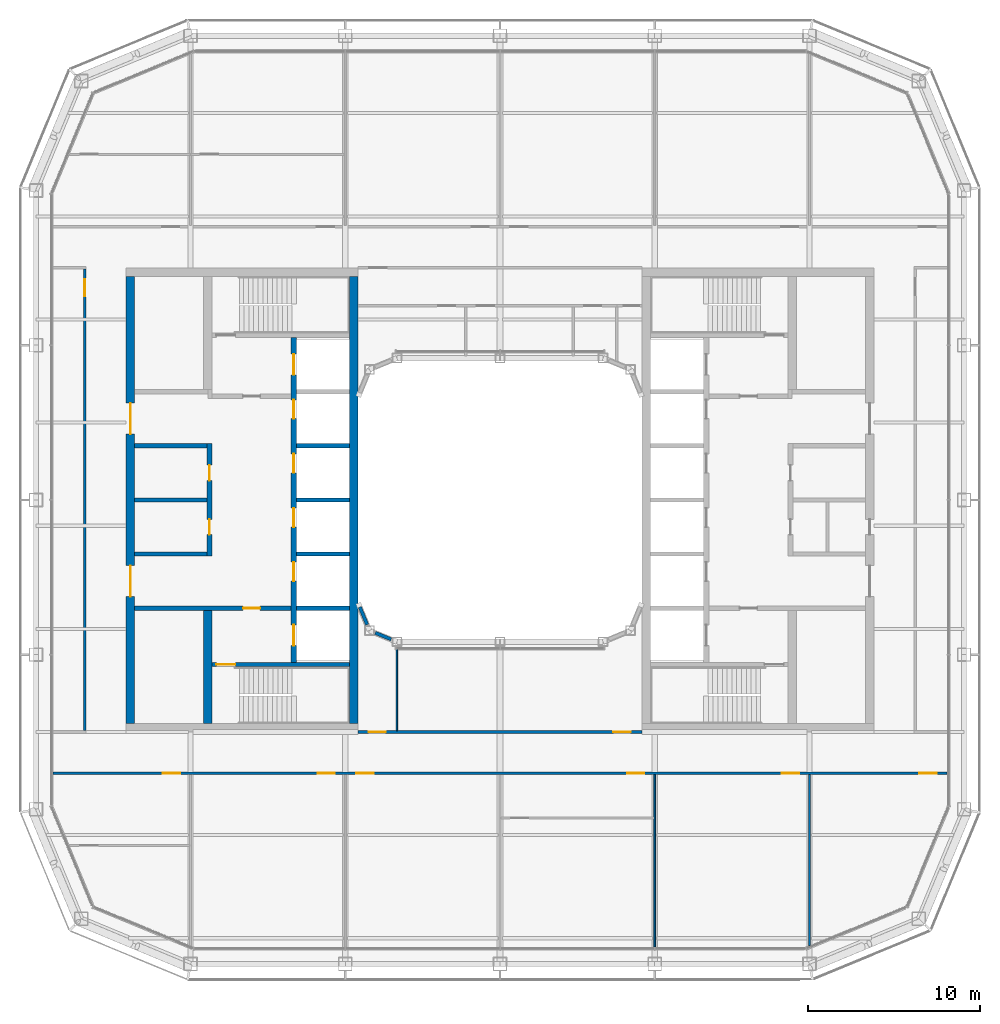
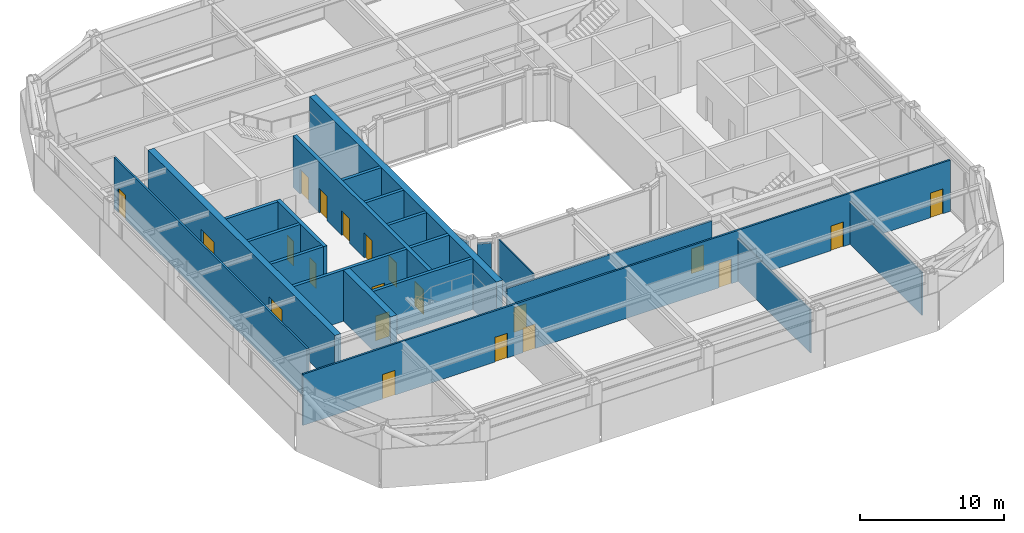
# One storey, part 12 of 19: 22 walls, 21 doors, 21 openings.
"""IFC4 building model written with IfcOpenShell, lengths in metres."""

from ifc_helpers import new_model, si_unit, direction, frame, frame_2d, origin, place, context, subcontext, project, spatial, rectangle, extrude, material, layer, layer_set, type_object, element, fill, save


model = new_model("IFC4")

# Units and contexts
model_context = context("Model", 3, precision=1e-05, world=origin(), true_north=direction((0.0, 1.0)))
body_context = subcontext(model_context, "Body", "Model", "MODEL_VIEW")
ifc_project = project(units=[si_unit("LENGTHUNIT", "METRE"), si_unit("AREAUNIT", "SQUARE_METRE"), si_unit("VOLUMEUNIT", "CUBIC_METRE"), si_unit("PLANEANGLEUNIT", "RADIAN"), si_unit("MASSUNIT", "GRAM", prefix="KILO")], contexts=[model_context])

# Site, building, storey
site_placement = place(None, origin())
site = spatial("IfcSite", under=ifc_project, at=site_placement, CompositionType="ELEMENT")
building_placement = place(site_placement, origin())
building = spatial("IfcBuilding", under=site, at=building_placement, Name="Siwar Civic Tower", CompositionType="ELEMENT")
storey_placement = place(building_placement, frame((0.0, 0.0, 246.699951171875)))
storey = spatial("IfcBuildingStorey", under=building, at=storey_placement, Name="L53", CompositionType="ELEMENT", Elevation=246.699951171875)

# Wall, opening, door
ifc_material_1 = material(Name="Concrete C60/75", Category="concrete")
ifc_layer_1 = layer(ifc_material_1, 0.25)
ifc_layer_set_1 = layer_set([ifc_layer_1], Name="Concrete C60/75")
wall_type_1 = type_object("IfcWallType", Name="CORE-WALL-RC250", PredefinedType="SHEAR", material=ifc_layer_set_1)
wall_1_placement = place(storey_placement, frame((-12.14990234375, -6.300048828125, 0.0), z_axis=(0.0, 0.0, 1.0), x_axis=(-1.0, 0.0, 0.0)))
wall_1 = element("IfcWall", 1, at=wall_1_placement, inside=storey, type_object=wall_type_1, Name="Core wall W", PredefinedType="SHEAR", context=body_context, shape_type="SweptSolid", body=[
    extrude(rectangle(XDim=9.10009765625, YDim=0.25, at=frame_2d((4.550048828125, 0.0))), origin(), (0.0, 0.0, 1.0), 4.35009765625),
])
opening_1_placement = place(wall_1_placement, frame((1.800048828125, 0.0, 0.0)))
opening_1 = element("IfcOpeningElement", 2, at=opening_1_placement, cuts=wall_1, Name="Opening L53-CW02", PredefinedType="OPENING", context=body_context, shape_type="SweptSolid", body=[
    extrude(rectangle(XDim=1.0, YDim=2.10009765625, at=frame_2d((0.5, 1.050048828125))), frame((0.0, 0.135009765625, 0.0), z_axis=(0.0, -1.0, 0.0), x_axis=(1.0, 0.0, 0.0)), (0.0, 0.0, 1.0), 0.27001953125),
])
ifc_material_2 = material(Name="Steel door leaf", Category="steel")
door_type_1 = type_object("IfcDoorType", Name="CORE-DOOR-FD30S", OperationType="SINGLE_SWING_LEFT", PredefinedType="DOOR", material=ifc_material_2)
door_1_placement = place(opening_1_placement, origin())
door_1 = element("IfcDoor", 3, at=door_1_placement, inside=storey, type_object=door_type_1, Name="Service lobby door L53-CW02", OperationType="SINGLE_SWING_RIGHT", OverallHeight=2.10009765625, OverallWidth=1.0, PredefinedType="DOOR", context=body_context, shape_type="SweptSolid", body=[
    extrude(rectangle(XDim=1.0, YDim=2.10009765625, at=frame_2d((0.5, 1.050048828125))), frame((0.0, 0.02490234375, 0.0), z_axis=(0.0, -1.0, 0.0), x_axis=(1.0, 0.0, 0.0)), (0.0, 0.0, 1.0), 0.050048828125),
])
fill(opening_1, door_1)

# Walls
for number, where, z_axis, x_axis, name in (
    (4, (-17.050048828125, 0.0, 0.0), (0.0, 0.0, 1.0), (-1.0, 0.0, 0.0), "Core wall W"),
    (5, (-17.050048828125, 3.14990234375, 0.0), (0.0, 0.0, 1.0), (-1.0, 0.0, 0.0), "Core wall W"),
    (6, (-17.050048828125, -3.14990234375, 0.0), (0.0, 0.0, 1.0), (-1.0, 0.0, 0.0), "Core wall W"),
):
    element("IfcWall", number, at=place(storey_placement, frame(where, z_axis=z_axis, x_axis=x_axis)), inside=storey, type_object=wall_type_1, Name=name, PredefinedType="SHEAR", context=body_context, shape_type="SweptSolid", body=[
        extrude(rectangle(XDim=4.199951171875, YDim=0.25, at=frame_2d((2.10009765625, 0.0))), origin(), (0.0, 0.0, 1.0), 4.35009765625),
    ])
for number, where, z_axis, x_axis, name in (
    (7, (-8.75, 0.0, 0.0), (0.0, 0.0, 1.0), (-1.0, 0.0, 0.0), "Core wall W"),
    (8, (-8.75, 3.14990234375, 0.0), (0.0, 0.0, 1.0), (-1.0, 0.0, 0.0), "Core wall W"),
    (9, (-8.75, -3.14990234375, 0.0), (0.0, 0.0, 1.0), (-1.0, 0.0, 0.0), "Core wall W"),
    (10, (-8.75, -6.300048828125, 0.0), (0.0, 0.0, 1.0), (-1.0, 0.0, 0.0), "Core wall W"),
):
    element("IfcWall", number, at=place(storey_placement, frame(where, z_axis=z_axis, x_axis=x_axis)), inside=storey, type_object=wall_type_1, Name=name, PredefinedType="SHEAR", context=body_context, shape_type="SweptSolid", body=[
        extrude(rectangle(XDim=3.10009765625, YDim=0.25, at=frame_2d((1.550048828125, 0.0))), origin(), (0.0, 0.0, 1.0), 4.35009765625),
    ])

# Wall, opening, door
wall_2_placement = place(storey_placement, frame((-8.75, -9.574951171875, 0.0), z_axis=(0.0, 0.0, 1.0), x_axis=(-1.0, 0.0, 0.0)))
wall_2 = element("IfcWall", 11, at=wall_2_placement, inside=storey, type_object=wall_type_1, Name="Core wall W", PredefinedType="SHEAR", context=body_context, shape_type="SweptSolid", body=[
    extrude(rectangle(XDim=8.0, YDim=0.25, at=frame_2d((4.0, 0.0))), origin(), (0.0, 0.0, 1.0), 4.35009765625),
])
opening_2_placement = place(wall_2_placement, frame((6.64990234375, 0.0, 0.0)))
opening_2 = element("IfcOpeningElement", 12, at=opening_2_placement, cuts=wall_2, Name="Opening L53-CW04", PredefinedType="OPENING", context=body_context, shape_type="SweptSolid", body=[
    extrude(rectangle(XDim=1.10009765625, YDim=2.10009765625, at=frame_2d((0.550048828125, 1.050048828125))), frame((0.0, 0.135009765625, 0.0), z_axis=(0.0, -1.0, 0.0), x_axis=(1.0, 0.0, 0.0)), (0.0, 0.0, 1.0), 0.27001953125),
])
ifc_material_3 = material(Name="Steel door leaf", Category="steel")
door_type_2 = type_object("IfcDoorType", Name="CORE-DOOR-FD60S", OperationType="SINGLE_SWING_LEFT", PredefinedType="DOOR", material=ifc_material_3)
door_2_placement = place(opening_2_placement, origin())
door_2 = element("IfcDoor", 13, at=door_2_placement, inside=storey, type_object=door_type_2, Name="Stair door L53-CW04", OperationType="SINGLE_SWING_LEFT", OverallHeight=2.10009765625, OverallWidth=1.10009765625, PredefinedType="DOOR", context=body_context, shape_type="SweptSolid", body=[
    extrude(rectangle(XDim=1.10009765625, YDim=2.10009765625, at=frame_2d((0.550048828125, 1.050048828125))), frame((0.0, 0.02490234375, 0.0), z_axis=(0.0, -1.0, 0.0), x_axis=(1.0, 0.0, 0.0)), (0.0, 0.0, 1.0), 0.050048828125),
])
fill(opening_2, door_2)

# Wall, openings, doors
ifc_material_4 = material(Name="Concrete C60/75", Category="concrete")
ifc_layer_2 = layer(ifc_material_4, 0.300048828125)
ifc_layer_set_2 = layer_set([ifc_layer_2], Name="Concrete C60/75")
wall_type_2 = type_object("IfcWallType", Name="CORE-WALL-RC300", PredefinedType="SHEAR", material=ifc_layer_set_2)
wall_3_placement = place(storey_placement, frame((-12.0, -9.449951171875, 0.0), z_axis=(0.0, 0.0, 1.0), x_axis=(0.0, 1.0, 0.0)))
wall_3 = element("IfcWall", 14, at=wall_3_placement, inside=storey, type_object=wall_type_2, Name="Core wall W", PredefinedType="SHEAR", context=body_context, shape_type="SweptSolid", body=[
    extrude(rectangle(XDim=18.89990234375, YDim=0.300048828125, at=frame_2d((9.449951171875, 0.0))), origin(), (0.0, 0.0, 1.0), 4.35009765625),
])
opening_3_placement = place(wall_3_placement, frame((4.72509765625, 0.0, 0.0)))
opening_3 = element("IfcOpeningElement", 15, at=opening_3_placement, cuts=wall_3, Name="Opening L53-CW07", PredefinedType="OPENING", context=body_context, shape_type="SweptSolid", body=[
    extrude(rectangle(XDim=1.10009765625, YDim=2.10009765625, at=frame_2d((0.550048828125, 1.050048828125))), frame((0.0, 0.16015625, 0.0), z_axis=(0.0, -1.0, 0.0), x_axis=(1.0, 0.0, 0.0)), (0.0, 0.0, 1.0), 0.320068359375),
])
opening_4_placement = place(wall_3_placement, frame((7.875, 0.0, 0.0)))
opening_4 = element("IfcOpeningElement", 16, at=opening_4_placement, cuts=wall_3, Name="Opening L53-CW08", PredefinedType="OPENING", context=body_context, shape_type="SweptSolid", body=[
    extrude(rectangle(XDim=1.10009765625, YDim=2.10009765625, at=frame_2d((0.550048828125, 1.050048828125))), frame((0.0, 0.16015625, 0.0), z_axis=(0.0, -1.0, 0.0), x_axis=(1.0, 0.0, 0.0)), (0.0, 0.0, 1.0), 0.320068359375),
])
opening_5_placement = place(wall_3_placement, frame((11.02490234375, 0.0, 0.0)))
opening_5 = element("IfcOpeningElement", 17, at=opening_5_placement, cuts=wall_3, Name="Opening L53-CW09", PredefinedType="OPENING", context=body_context, shape_type="SweptSolid", body=[
    extrude(rectangle(XDim=1.10009765625, YDim=2.10009765625, at=frame_2d((0.550048828125, 1.050048828125))), frame((0.0, 0.16015625, 0.0), z_axis=(0.0, -1.0, 0.0), x_axis=(1.0, 0.0, 0.0)), (0.0, 0.0, 1.0), 0.320068359375),
])
opening_6_placement = place(wall_3_placement, frame((14.175048828125, 0.0, 0.0)))
opening_6 = element("IfcOpeningElement", 18, at=opening_6_placement, cuts=wall_3, Name="Opening L53-CW10", PredefinedType="OPENING", context=body_context, shape_type="SweptSolid", body=[
    extrude(rectangle(XDim=1.10009765625, YDim=2.10009765625, at=frame_2d((0.550048828125, 1.050048828125))), frame((0.0, 0.16015625, 0.0), z_axis=(0.0, -1.0, 0.0), x_axis=(1.0, 0.0, 0.0)), (0.0, 0.0, 1.0), 0.320068359375),
])
opening_7_placement = place(wall_3_placement, frame((16.72509765625, 0.0, 0.0)))
opening_7 = element("IfcOpeningElement", 19, at=opening_7_placement, cuts=wall_3, Name="Opening L53-CW11", PredefinedType="OPENING", context=body_context, shape_type="SweptSolid", body=[
    extrude(rectangle(XDim=1.199951171875, YDim=2.10009765625, at=frame_2d((0.60009765625, 1.050048828125))), frame((0.0, 0.16015625, 0.0), z_axis=(0.0, -1.0, 0.0), x_axis=(1.0, 0.0, 0.0)), (0.0, 0.0, 1.0), 0.320068359375),
])
opening_8_placement = place(wall_3_placement, frame((0.97509765625, 0.0, 0.0)))
opening_8 = element("IfcOpeningElement", 20, at=opening_8_placement, cuts=wall_3, Name="Opening L53-CW12", PredefinedType="OPENING", context=body_context, shape_type="SweptSolid", body=[
    extrude(rectangle(XDim=1.199951171875, YDim=2.10009765625, at=frame_2d((0.60009765625, 1.050048828125))), frame((0.0, 0.16015625, 0.0), z_axis=(0.0, -1.0, 0.0), x_axis=(1.0, 0.0, 0.0)), (0.0, 0.0, 1.0), 0.320068359375),
])
ifc_material_5 = material(Name="Steel door leaf", Category="steel")
door_type_3 = type_object("IfcDoorType", Name="CORE-DOOR-LD", OperationType="DOUBLE_DOOR_SLIDING", PredefinedType="DOOR", material=ifc_material_5)
door_3_placement = place(opening_3_placement, origin())
door_3 = element("IfcDoor", 21, at=door_3_placement, inside=storey, type_object=door_type_3, Name="Landing door HR1 L53-CW07", OperationType="DOUBLE_DOOR_SLIDING", OverallHeight=2.10009765625, OverallWidth=1.10009765625, PredefinedType="DOOR", context=body_context, shape_type="SweptSolid", body=[
    extrude(rectangle(XDim=1.10009765625, YDim=2.10009765625, at=frame_2d((0.550048828125, 1.050048828125))), frame((0.0, 0.02490234375, 0.0), z_axis=(0.0, -1.0, 0.0), x_axis=(1.0, 0.0, 0.0)), (0.0, 0.0, 1.0), 0.050048828125),
])
fill(opening_3, door_3)
door_4_placement = place(opening_4_placement, origin())
door_4 = element("IfcDoor", 22, at=door_4_placement, inside=storey, type_object=door_type_3, Name="Landing door HR2 L53-CW08", OperationType="DOUBLE_DOOR_SLIDING", OverallHeight=2.10009765625, OverallWidth=1.10009765625, PredefinedType="DOOR", context=body_context, shape_type="SweptSolid", body=[
    extrude(rectangle(XDim=1.10009765625, YDim=2.10009765625, at=frame_2d((0.550048828125, 1.050048828125))), frame((0.0, 0.02490234375, 0.0), z_axis=(0.0, -1.0, 0.0), x_axis=(1.0, 0.0, 0.0)), (0.0, 0.0, 1.0), 0.050048828125),
])
fill(opening_4, door_4)
door_5_placement = place(opening_5_placement, origin())
door_5 = element("IfcDoor", 23, at=door_5_placement, inside=storey, type_object=door_type_3, Name="Landing door HR3 L53-CW09", OperationType="DOUBLE_DOOR_SLIDING", OverallHeight=2.10009765625, OverallWidth=1.10009765625, PredefinedType="DOOR", context=body_context, shape_type="SweptSolid", body=[
    extrude(rectangle(XDim=1.10009765625, YDim=2.10009765625, at=frame_2d((0.550048828125, 1.050048828125))), frame((0.0, 0.02490234375, 0.0), z_axis=(0.0, -1.0, 0.0), x_axis=(1.0, 0.0, 0.0)), (0.0, 0.0, 1.0), 0.050048828125),
])
fill(opening_5, door_5)
door_6_placement = place(opening_6_placement, origin())
door_6 = element("IfcDoor", 24, at=door_6_placement, inside=storey, type_object=door_type_3, Name="Landing door HR4 L53-CW10", OperationType="DOUBLE_DOOR_SLIDING", OverallHeight=2.10009765625, OverallWidth=1.10009765625, PredefinedType="DOOR", context=body_context, shape_type="SweptSolid", body=[
    extrude(rectangle(XDim=1.10009765625, YDim=2.10009765625, at=frame_2d((0.550048828125, 1.050048828125))), frame((0.0, 0.02490234375, 0.0), z_axis=(0.0, -1.0, 0.0), x_axis=(1.0, 0.0, 0.0)), (0.0, 0.0, 1.0), 0.050048828125),
])
fill(opening_6, door_6)
ifc_material_6 = material(Name="Steel door leaf", Category="steel")
door_type_4 = type_object("IfcDoorType", Name="CORE-DOOR-LDW", OperationType="DOUBLE_DOOR_SLIDING", PredefinedType="DOOR", material=ifc_material_6)
door_7_placement = place(opening_7_placement, origin())
door_7 = element("IfcDoor", 25, at=door_7_placement, inside=storey, type_object=door_type_4, Name="Landing door FF1 L53-CW11", OperationType="DOUBLE_DOOR_SLIDING", OverallHeight=2.10009765625, OverallWidth=1.199951171875, PredefinedType="DOOR", context=body_context, shape_type="SweptSolid", body=[
    extrude(rectangle(XDim=1.199951171875, YDim=2.10009765625, at=frame_2d((0.60009765625, 1.050048828125))), frame((0.0, 0.02490234375, 0.0), z_axis=(0.0, -1.0, 0.0), x_axis=(1.0, 0.0, 0.0)), (0.0, 0.0, 1.0), 0.050048828125),
])
fill(opening_7, door_7)
door_8_placement = place(opening_8_placement, origin())
door_8 = element("IfcDoor", 26, at=door_8_placement, inside=storey, type_object=door_type_4, Name="Landing door SV1 L53-CW12", OperationType="DOUBLE_DOOR_SLIDING", OverallHeight=2.10009765625, OverallWidth=1.199951171875, PredefinedType="DOOR", context=body_context, shape_type="SweptSolid", body=[
    extrude(rectangle(XDim=1.199951171875, YDim=2.10009765625, at=frame_2d((0.60009765625, 1.050048828125))), frame((0.0, 0.02490234375, 0.0), z_axis=(0.0, -1.0, 0.0), x_axis=(1.0, 0.0, 0.0)), (0.0, 0.0, 1.0), 0.050048828125),
])
fill(opening_8, door_8)

wall_4_placement = place(storey_placement, frame((-16.89990234375, -3.27490234375, 0.0), z_axis=(0.0, 0.0, 1.0), x_axis=(0.0, 1.0, 0.0)))
wall_4 = element("IfcWall", 27, at=wall_4_placement, inside=storey, type_object=wall_type_2, Name="Core wall W", PredefinedType="SHEAR", context=body_context, shape_type="SweptSolid", body=[
    extrude(rectangle(XDim=6.5498046875, YDim=0.300048828125, at=frame_2d((3.27490234375, 0.0))), origin(), (0.0, 0.0, 1.0), 4.35009765625),
])
opening_9_placement = place(wall_4_placement, frame((1.25, 0.0, 0.0)))
opening_9 = element("IfcOpeningElement", 28, at=opening_9_placement, cuts=wall_4, Name="Opening L53-CW13", PredefinedType="OPENING", context=body_context, shape_type="SweptSolid", body=[
    extrude(rectangle(XDim=0.89990234375, YDim=2.10009765625, at=frame_2d((0.449951171875, 1.050048828125))), frame((0.0, 0.16015625, 0.0), z_axis=(0.0, -1.0, 0.0), x_axis=(1.0, 0.0, 0.0)), (0.0, 0.0, 1.0), 0.320068359375),
])
opening_10_placement = place(wall_4_placement, frame((4.39990234375, 0.0, 0.0)))
opening_10 = element("IfcOpeningElement", 29, at=opening_10_placement, cuts=wall_4, Name="Opening L53-CW14", PredefinedType="OPENING", context=body_context, shape_type="SweptSolid", body=[
    extrude(rectangle(XDim=0.89990234375, YDim=2.10009765625, at=frame_2d((0.449951171875, 1.050048828125))), frame((0.0, 0.16015625, 0.0), z_axis=(0.0, -1.0, 0.0), x_axis=(1.0, 0.0, 0.0)), (0.0, 0.0, 1.0), 0.320068359375),
])
ifc_material_7 = material(Name="Steel door leaf", Category="steel")
door_type_5 = type_object("IfcDoorType", Name="CORE-DOOR-ROOM", OperationType="SINGLE_SWING_LEFT", PredefinedType="DOOR", material=ifc_material_7)
door_9_placement = place(opening_9_placement, origin())
door_9 = element("IfcDoor", 30, at=door_9_placement, inside=storey, type_object=door_type_5, Name="Core room door L53-CW13", OperationType="SINGLE_SWING_LEFT", OverallHeight=2.10009765625, OverallWidth=0.89990234375, PredefinedType="DOOR", context=body_context, shape_type="SweptSolid", body=[
    extrude(rectangle(XDim=0.89990234375, YDim=2.10009765625, at=frame_2d((0.449951171875, 1.050048828125))), frame((0.0, 0.02490234375, 0.0), z_axis=(0.0, -1.0, 0.0), x_axis=(1.0, 0.0, 0.0)), (0.0, 0.0, 1.0), 0.050048828125),
])
fill(opening_9, door_9)
door_10_placement = place(opening_10_placement, origin())
door_10 = element("IfcDoor", 31, at=door_10_placement, inside=storey, type_object=door_type_5, Name="Core room door L53-CW14", OperationType="SINGLE_SWING_RIGHT", OverallHeight=2.10009765625, OverallWidth=0.89990234375, PredefinedType="DOOR", context=body_context, shape_type="SweptSolid", body=[
    extrude(rectangle(XDim=0.89990234375, YDim=2.10009765625, at=frame_2d((0.449951171875, 1.050048828125))), frame((0.0, 0.02490234375, 0.0), z_axis=(0.0, -1.0, 0.0), x_axis=(1.0, 0.0, 0.0)), (0.0, 0.0, 1.0), 0.050048828125),
])
fill(opening_10, door_10)

ifc_material_8 = material(Name="Concrete C60/75", Category="concrete")
ifc_layer_3 = layer(ifc_material_8, 0.5)
ifc_layer_set_3 = layer_set([ifc_layer_3], Name="Concrete C60/75")
wall_type_3 = type_object("IfcWallType", Name="CORE-WALL-RC500", PredefinedType="SHEAR", material=ifc_layer_set_3)
wall_5_placement = place(storey_placement, frame((-21.5, -13.0, 0.0), z_axis=(0.0, 0.0, 1.0), x_axis=(0.0, 1.0, 0.0)))
wall_5 = element("IfcWall", 32, at=wall_5_placement, inside=storey, type_object=wall_type_3, Name="Core wall W", PredefinedType="SHEAR", context=body_context, shape_type="SweptSolid", body=[
    extrude(rectangle(XDim=26.0, YDim=0.5, at=frame_2d((13.0, 0.0))), origin(), (0.0, 0.0, 1.0), 4.35009765625),
])
opening_11_placement = place(wall_5_placement, frame((16.824951171875, 0.0, 0.0)))
opening_11 = element("IfcOpeningElement", 33, at=opening_11_placement, cuts=wall_5, Name="Opening L53-CW05", PredefinedType="OPENING", context=body_context, shape_type="SweptSolid", body=[
    extrude(rectangle(XDim=1.800048828125, YDim=2.10009765625, at=frame_2d((0.89990234375, 1.050048828125))), frame((0.0, 0.260009765625, 0.0), z_axis=(0.0, -1.0, 0.0), x_axis=(1.0, 0.0, 0.0)), (0.0, 0.0, 1.0), 0.52001953125),
])
opening_12_placement = place(wall_5_placement, frame((7.375, 0.0, 0.0)))
opening_12 = element("IfcOpeningElement", 34, at=opening_12_placement, cuts=wall_5, Name="Opening L53-CW06", PredefinedType="OPENING", context=body_context, shape_type="SweptSolid", body=[
    extrude(rectangle(XDim=1.800048828125, YDim=2.10009765625, at=frame_2d((0.89990234375, 1.050048828125))), frame((0.0, 0.260009765625, 0.0), z_axis=(0.0, -1.0, 0.0), x_axis=(1.0, 0.0, 0.0)), (0.0, 0.0, 1.0), 0.52001953125),
])
ifc_material_9 = material(Name="Steel door leaf", Category="steel")
door_type_6 = type_object("IfcDoorType", Name="CORE-DOOR-PORT", OperationType="DOUBLE_DOOR_DOUBLE_SWING", PredefinedType="DOOR", material=ifc_material_9)
door_11_placement = place(opening_11_placement, origin())
door_11 = element("IfcDoor", 35, at=door_11_placement, inside=storey, type_object=door_type_6, Name="Core entrance door L53-CW05", OperationType="DOUBLE_DOOR_DOUBLE_SWING", OverallHeight=2.10009765625, OverallWidth=1.800048828125, PredefinedType="DOOR", context=body_context, shape_type="SweptSolid", body=[
    extrude(rectangle(XDim=1.800048828125, YDim=2.10009765625, at=frame_2d((0.89990234375, 1.050048828125))), frame((0.0, 0.02490234375, 0.0), z_axis=(0.0, -1.0, 0.0), x_axis=(1.0, 0.0, 0.0)), (0.0, 0.0, 1.0), 0.050048828125),
])
fill(opening_11, door_11)
door_12_placement = place(opening_12_placement, origin())
door_12 = element("IfcDoor", 36, at=door_12_placement, inside=storey, type_object=door_type_6, Name="Core entrance door L53-CW06", OperationType="DOUBLE_DOOR_DOUBLE_SWING", OverallHeight=2.10009765625, OverallWidth=1.800048828125, PredefinedType="DOOR", context=body_context, shape_type="SweptSolid", body=[
    extrude(rectangle(XDim=1.800048828125, YDim=2.10009765625, at=frame_2d((0.89990234375, 1.050048828125))), frame((0.0, 0.02490234375, 0.0), z_axis=(0.0, -1.0, 0.0), x_axis=(1.0, 0.0, 0.0)), (0.0, 0.0, 1.0), 0.050048828125),
])
fill(opening_12, door_12)

# Walls
wall_6_placement = place(storey_placement, frame((-17.0, -13.0, 0.0), z_axis=(0.0, 0.0, 1.0), x_axis=(0.0, 1.0, 0.0)))
element("IfcWall", 37, at=wall_6_placement, inside=storey, type_object=wall_type_3, Name="Core wall W", PredefinedType="SHEAR", context=body_context, shape_type="SweptSolid", body=[
    extrude(rectangle(XDim=6.574951171875, YDim=0.5, at=frame_2d((3.28759765625, 0.0))), origin(), (0.0, 0.0, 1.0), 4.35009765625),
])
ifc_material_10 = material(Name="Concrete C60/75", Category="concrete")
ifc_layer_4 = layer(ifc_material_10, 0.5)
ifc_layer_set_4 = layer_set([ifc_layer_4], Name="Concrete C60/75")
wall_type_4 = type_object("IfcWallType", Name="CORE-WALL-RC500-EXT", PredefinedType="SHEAR", material=ifc_layer_set_4)
wall_7_placement = place(storey_placement, frame((-8.5, -13.0, 0.0), z_axis=(0.0, 0.0, 1.0), x_axis=(0.0, 1.0, 0.0)))
element("IfcWall", 38, at=wall_7_placement, inside=storey, type_object=wall_type_4, Name="Core wall W", PredefinedType="SHEAR", context=body_context, shape_type="SweptSolid", body=[
    extrude(rectangle(XDim=26.0, YDim=0.5, at=frame_2d((13.0, 0.0))), origin(), (0.0, 0.0, 1.0), 4.35009765625),
])

# Wall, openings, doors
ifc_material_11 = material(Name="Gypsum board on steel studs", Category="steel")
ifc_layer_5 = layer(ifc_material_11, 0.14990234375)
ifc_layer_set_5 = layer_set([ifc_layer_5], Name="Gypsum board on steel studs")
wall_type_5 = type_object("IfcWallType", Name="CORRIDOR PARTITION 150 EI 30", PredefinedType="PARTITIONING", material=ifc_layer_set_5)
wall_8_placement = place(storey_placement, frame((-26.010009765625, -15.89990234375, 0.0), z_axis=(0.0, 0.0, 1.0), x_axis=(1.0, 0.0, 0.0)))
wall_8 = element("IfcWall", 39, at=wall_8_placement, inside=storey, type_object=wall_type_5, Name="L53/wall/P03", PredefinedType="PARTITIONING", context=body_context, shape_type="SweptSolid", body=[
    extrude(rectangle(XDim=52.02001953125, YDim=0.14990234375, at=frame_2d((26.010009765625, 0.0))), origin(), (0.0, 0.0, 1.0), 4.35009765625),
])
opening_13_placement = place(wall_8_placement, frame((15.409912109375, 0.0, 0.0)))
opening_13 = element("IfcOpeningElement", 40, at=opening_13_placement, cuts=wall_8, Name="Opening D1", PredefinedType="OPENING", context=body_context, shape_type="SweptSolid", body=[
    extrude(rectangle(XDim=1.0, YDim=2.10009765625, at=frame_2d((0.5, 1.050048828125))), frame((0.0, 0.0849609375, 0.0), z_axis=(0.0, -1.0, 0.0), x_axis=(1.0, 0.0, 0.0)), (0.0, 0.0, 1.0), 0.169921875),
])
opening_14_placement = place(wall_8_placement, frame((17.659912109375, 0.0, 0.0)))
opening_14 = element("IfcOpeningElement", 41, at=opening_14_placement, cuts=wall_8, Name="Opening D1", PredefinedType="OPENING", context=body_context, shape_type="SweptSolid", body=[
    extrude(rectangle(XDim=1.0, YDim=2.10009765625, at=frame_2d((0.5, 1.050048828125))), frame((0.0, 0.0849609375, 0.0), z_axis=(0.0, -1.0, 0.0), x_axis=(1.0, 0.0, 0.0)), (0.0, 0.0, 1.0), 0.169921875),
])
opening_15_placement = place(wall_8_placement, frame((33.409912109375, 0.0, 0.0)))
opening_15 = element("IfcOpeningElement", 42, at=opening_15_placement, cuts=wall_8, Name="Opening D1", PredefinedType="OPENING", context=body_context, shape_type="SweptSolid", body=[
    extrude(rectangle(XDim=1.0, YDim=2.10009765625, at=frame_2d((0.5, 1.050048828125))), frame((0.0, 0.0849609375, 0.0), z_axis=(0.0, -1.0, 0.0), x_axis=(1.0, 0.0, 0.0)), (0.0, 0.0, 1.0), 0.169921875),
])
opening_16_placement = place(wall_8_placement, frame((42.409912109375, 0.0, 0.0)))
opening_16 = element("IfcOpeningElement", 43, at=opening_16_placement, cuts=wall_8, Name="Opening D1", PredefinedType="OPENING", context=body_context, shape_type="SweptSolid", body=[
    extrude(rectangle(XDim=1.0, YDim=2.10009765625, at=frame_2d((0.5, 1.050048828125))), frame((0.0, 0.0849609375, 0.0), z_axis=(0.0, -1.0, 0.0), x_axis=(1.0, 0.0, 0.0)), (0.0, 0.0, 1.0), 0.169921875),
])
opening_17_placement = place(wall_8_placement, frame((6.39990234375, 0.0, 0.0)))
opening_17 = element("IfcOpeningElement", 44, at=opening_17_placement, cuts=wall_8, Name="Opening D1", PredefinedType="OPENING", context=body_context, shape_type="SweptSolid", body=[
    extrude(rectangle(XDim=1.0, YDim=2.10009765625, at=frame_2d((0.5, 1.050048828125))), frame((0.0, 0.0849609375, 0.0), z_axis=(0.0, -1.0, 0.0), x_axis=(1.0, 0.0, 0.0)), (0.0, 0.0, 1.0), 0.169921875),
])
opening_18_placement = place(wall_8_placement, frame((50.409912109375, 0.0, 0.0)))
opening_18 = element("IfcOpeningElement", 45, at=opening_18_placement, cuts=wall_8, Name="Opening D1", PredefinedType="OPENING", context=body_context, shape_type="SweptSolid", body=[
    extrude(rectangle(XDim=1.0, YDim=2.10009765625, at=frame_2d((0.5, 1.050048828125))), frame((0.0, 0.0849609375, 0.0), z_axis=(0.0, -1.0, 0.0), x_axis=(1.0, 0.0, 0.0)), (0.0, 0.0, 1.0), 0.169921875),
])
ifc_material_12 = material(Name="Timber, painted", Category="wood")
door_type_7 = type_object("IfcDoorType", Name="DOOR 1000 X 2100 FD30", OperationType="SINGLE_SWING_LEFT", PredefinedType="DOOR", material=ifc_material_12)
door_13_placement = place(opening_13_placement, origin())
door_13 = element("IfcDoor", 46, at=door_13_placement, inside=storey, type_object=door_type_7, Name="L53-D06", OperationType="SINGLE_SWING_RIGHT", OverallHeight=2.10009765625, OverallWidth=1.0, PredefinedType="DOOR", context=body_context, shape_type="SweptSolid", body=[
    extrude(rectangle(XDim=1.0, YDim=2.10009765625, at=frame_2d((0.5, 1.050048828125))), frame((0.0, 0.02490234375, 0.0), z_axis=(0.0, -1.0, 0.0), x_axis=(1.0, 0.0, 0.0)), (0.0, 0.0, 1.0), 0.050048828125),
])
fill(opening_13, door_13)
door_14_placement = place(opening_14_placement, origin())
door_14 = element("IfcDoor", 47, at=door_14_placement, inside=storey, type_object=door_type_7, Name="L53-D07", OperationType="SINGLE_SWING_LEFT", OverallHeight=2.10009765625, OverallWidth=1.0, PredefinedType="DOOR", context=body_context, shape_type="SweptSolid", body=[
    extrude(rectangle(XDim=1.0, YDim=2.10009765625, at=frame_2d((0.5, 1.050048828125))), frame((0.0, 0.02490234375, 0.0), z_axis=(0.0, -1.0, 0.0), x_axis=(1.0, 0.0, 0.0)), (0.0, 0.0, 1.0), 0.050048828125),
])
fill(opening_14, door_14)
door_15_placement = place(opening_15_placement, origin())
door_15 = element("IfcDoor", 48, at=door_15_placement, inside=storey, type_object=door_type_7, Name="L53-D08", OperationType="SINGLE_SWING_RIGHT", OverallHeight=2.10009765625, OverallWidth=1.0, PredefinedType="DOOR", context=body_context, shape_type="SweptSolid", body=[
    extrude(rectangle(XDim=1.0, YDim=2.10009765625, at=frame_2d((0.5, 1.050048828125))), frame((0.0, 0.02490234375, 0.0), z_axis=(0.0, -1.0, 0.0), x_axis=(1.0, 0.0, 0.0)), (0.0, 0.0, 1.0), 0.050048828125),
])
fill(opening_15, door_15)
door_16_placement = place(opening_16_placement, origin())
door_16 = element("IfcDoor", 49, at=door_16_placement, inside=storey, type_object=door_type_7, Name="L53-D10", OperationType="SINGLE_SWING_RIGHT", OverallHeight=2.10009765625, OverallWidth=1.0, PredefinedType="DOOR", context=body_context, shape_type="SweptSolid", body=[
    extrude(rectangle(XDim=1.0, YDim=2.10009765625, at=frame_2d((0.5, 1.050048828125))), frame((0.0, 0.02490234375, 0.0), z_axis=(0.0, -1.0, 0.0), x_axis=(1.0, 0.0, 0.0)), (0.0, 0.0, 1.0), 0.050048828125),
])
fill(opening_16, door_16)
door_17_placement = place(opening_17_placement, origin())
door_17 = element("IfcDoor", 50, at=door_17_placement, inside=storey, type_object=door_type_7, Name="L53-D14", OperationType="SINGLE_SWING_RIGHT", OverallHeight=2.10009765625, OverallWidth=1.0, PredefinedType="DOOR", context=body_context, shape_type="SweptSolid", body=[
    extrude(rectangle(XDim=1.0, YDim=2.10009765625, at=frame_2d((0.5, 1.050048828125))), frame((0.0, 0.02490234375, 0.0), z_axis=(0.0, -1.0, 0.0), x_axis=(1.0, 0.0, 0.0)), (0.0, 0.0, 1.0), 0.050048828125),
])
fill(opening_17, door_17)
door_18_placement = place(opening_18_placement, origin())
door_18 = element("IfcDoor", 51, at=door_18_placement, inside=storey, type_object=door_type_7, Name="L53-D16", OperationType="SINGLE_SWING_RIGHT", OverallHeight=2.10009765625, OverallWidth=1.0, PredefinedType="DOOR", context=body_context, shape_type="SweptSolid", body=[
    extrude(rectangle(XDim=1.0, YDim=2.10009765625, at=frame_2d((0.5, 1.050048828125))), frame((0.0, 0.02490234375, 0.0), z_axis=(0.0, -1.0, 0.0), x_axis=(1.0, 0.0, 0.0)), (0.0, 0.0, 1.0), 0.050048828125),
])
fill(opening_18, door_18)

wall_9_placement = place(storey_placement, frame((-8.25, -13.5, 0.0), z_axis=(0.0, 0.0, 1.0), x_axis=(1.0, 0.0, 0.0)))
wall_9 = element("IfcWall", 52, at=wall_9_placement, inside=storey, type_object=wall_type_5, Name="L53/wall/P05", PredefinedType="PARTITIONING", context=body_context, shape_type="SweptSolid", body=[
    extrude(rectangle(XDim=16.5, YDim=0.14990234375, at=frame_2d((8.25, 0.0))), origin(), (0.0, 0.0, 1.0), 3.949951171875),
])
opening_19_placement = place(wall_9_placement, frame((0.60009765625, 0.0, 0.0)))
opening_19 = element("IfcOpeningElement", 53, at=opening_19_placement, cuts=wall_9, Name="Opening D3", PredefinedType="OPENING", context=body_context, shape_type="SweptSolid", body=[
    extrude(rectangle(XDim=1.0, YDim=2.10009765625, at=frame_2d((0.5, 1.050048828125))), frame((0.0, 0.0849609375, 0.0), z_axis=(0.0, -1.0, 0.0), x_axis=(1.0, 0.0, 0.0)), (0.0, 0.0, 1.0), 0.169921875),
])
opening_20_placement = place(wall_9_placement, frame((14.85009765625, 0.0, 0.0)))
opening_20 = element("IfcOpeningElement", 54, at=opening_20_placement, cuts=wall_9, Name="Opening D1", PredefinedType="OPENING", context=body_context, shape_type="SweptSolid", body=[
    extrude(rectangle(XDim=1.0, YDim=2.10009765625, at=frame_2d((0.5, 1.050048828125))), frame((0.0, 0.0849609375, 0.0), z_axis=(0.0, -1.0, 0.0), x_axis=(1.0, 0.0, 0.0)), (0.0, 0.0, 1.0), 0.169921875),
])
door_19_placement = place(opening_20_placement, origin())
door_19 = element("IfcDoor", 55, at=door_19_placement, inside=storey, type_object=door_type_7, Name="L53-D25", OperationType="SINGLE_SWING_LEFT", OverallHeight=2.10009765625, OverallWidth=1.0, PredefinedType="DOOR", context=body_context, shape_type="SweptSolid", body=[
    extrude(rectangle(XDim=1.0, YDim=2.10009765625, at=frame_2d((0.5, 1.050048828125))), frame((0.0, 0.02490234375, 0.0), z_axis=(0.0, -1.0, 0.0), x_axis=(1.0, 0.0, 0.0)), (0.0, 0.0, 1.0), 0.050048828125),
])
fill(opening_20, door_19)
ifc_material_13 = material(Name="Timber, painted", Category="wood")
door_type_8 = type_object("IfcDoorType", Name="DOOR 1000 X 2100 WC", OperationType="SINGLE_SWING_LEFT", PredefinedType="DOOR", material=ifc_material_13)
door_20_placement = place(opening_19_placement, origin())
door_20 = element("IfcDoor", 56, at=door_20_placement, inside=storey, type_object=door_type_8, Name="L53-D24", OperationType="SINGLE_SWING_RIGHT", OverallHeight=2.10009765625, OverallWidth=1.0, PredefinedType="DOOR", context=body_context, shape_type="SweptSolid", body=[
    extrude(rectangle(XDim=1.0, YDim=2.10009765625, at=frame_2d((0.5, 1.050048828125))), frame((0.0, 0.02490234375, 0.0), z_axis=(0.0, -1.0, 0.0), x_axis=(1.0, 0.0, 0.0)), (0.0, 0.0, 1.0), 0.050048828125),
])
fill(opening_19, door_20)

# Wall, opening, door
wall_10_placement = place(storey_placement, frame((-24.14990234375, -13.425048828125, 0.0), z_axis=(0.0, 0.0, 1.0), x_axis=(0.0, 1.0, 0.0)))
wall_10 = element("IfcWall", 57, at=wall_10_placement, inside=storey, type_object=wall_type_5, Name="L53/wall/P14", PredefinedType="PARTITIONING", context=body_context, shape_type="SweptSolid", body=[
    extrude(rectangle(XDim=26.85009765625, YDim=0.14990234375, at=frame_2d((13.425048828125, 0.0))), origin(), (0.0, 0.0, 1.0), 4.35009765625),
])
opening_21_placement = place(wall_10_placement, frame((25.27490234375, 0.0, 0.0)))
opening_21 = element("IfcOpeningElement", 58, at=opening_21_placement, cuts=wall_10, Name="Opening D1", PredefinedType="OPENING", context=body_context, shape_type="SweptSolid", body=[
    extrude(rectangle(XDim=1.0, YDim=2.10009765625, at=frame_2d((0.5, 1.050048828125))), frame((0.0, 0.0849609375, 0.0), z_axis=(0.0, -1.0, 0.0), x_axis=(1.0, 0.0, 0.0)), (0.0, 0.0, 1.0), 0.169921875),
])
door_21_placement = place(opening_21_placement, origin())
door_21 = element("IfcDoor", 59, at=door_21_placement, inside=storey, type_object=door_type_7, Name="L53-D17", OperationType="SINGLE_SWING_LEFT", OverallHeight=2.10009765625, OverallWidth=1.0, PredefinedType="DOOR", context=body_context, shape_type="SweptSolid", body=[
    extrude(rectangle(XDim=1.0, YDim=2.10009765625, at=frame_2d((0.5, 1.050048828125))), frame((0.0, 0.02490234375, 0.0), z_axis=(0.0, -1.0, 0.0), x_axis=(1.0, 0.0, 0.0)), (0.0, 0.0, 1.0), 0.050048828125),
])
fill(opening_21, door_21)

# Walls
ifc_material_14 = material(Name="Aluminium clad insulated panel", Category="aluminium")
ifc_layer_6 = layer(ifc_material_14, 0.199951171875)
ifc_layer_set_6 = layer_set([ifc_layer_6], Name="Aluminium clad insulated panel")
wall_type_6 = type_object("IfcWallType", Name="ENV-WALL-WELL", PredefinedType="STANDARD", material=ifc_layer_set_6)
wall_11_placement = place(storey_placement, frame((-8.154296875, -6.23095703125, 0.0), z_axis=(0.0, 0.0, 1.0), x_axis=(0.382635994082, -0.923899180665, 0.0)))
element("IfcWall", 60, at=wall_11_placement, inside=storey, type_object=wall_type_6, Name="Light well corner wall SW1", PredefinedType="STANDARD", context=body_context, shape_type="SweptSolid", body=[
    extrude(rectangle(XDim=1.11279296875, YDim=0.199951171875, at=frame_2d((0.556396484375, 0.0))), origin(), (0.0, 0.0, 1.0), 3.91796875),
])
wall_12_placement = place(storey_placement, frame((-7.259033203125, -7.728515625, 0.0), z_axis=(0.0, 0.0, 1.0), x_axis=(0.923859650767, -0.382731427616, 0.0)))
element("IfcWall", 61, at=wall_12_placement, inside=storey, type_object=wall_type_6, Name="Light well corner wall SW2", PredefinedType="STANDARD", context=body_context, shape_type="SweptSolid", body=[
    extrude(rectangle(XDim=1.00341796875, YDim=0.199951171875, at=frame_2d((0.501708984375, 0.0))), origin(), (0.0, 0.0, 1.0), 3.91796875),
])
ifc_material_15 = material(Name="Gypsum board on steel studs", Category="steel")
ifc_layer_7 = layer(ifc_material_15, 0.10009765625)
ifc_layer_set_7 = layer_set([ifc_layer_7], Name="Gypsum board on steel studs")
wall_type_7 = type_object("IfcWallType", Name="PARTITION 100 GYPSUM", PredefinedType="PARTITIONING", material=ifc_layer_set_7)
wall_13_placement = place(storey_placement, frame((-6.0, -13.425048828125, 0.0), z_axis=(0.0, 0.0, 1.0), x_axis=(0.0, 1.0, 0.0)))
element("IfcWall", 62, at=wall_13_placement, inside=storey, type_object=wall_type_7, Name="L53/wall/P20", PredefinedType="PARTITIONING", context=body_context, shape_type="SweptSolid", body=[
    extrude(rectangle(XDim=4.824951171875, YDim=0.10009765625, at=frame_2d((2.41259765625, 0.0))), origin(), (0.0, 0.0, 1.0), 4.35009765625),
])
wall_14_placement = place(storey_placement, frame((9.0, -26.010009765625, 0.0), z_axis=(0.0, 0.0, 1.0), x_axis=(0.0, 1.0, 0.0)))
element("IfcWall", 63, at=wall_14_placement, inside=storey, type_object=wall_type_7, Name="L53/wall/P26", PredefinedType="PARTITIONING", context=body_context, shape_type="SweptSolid", body=[
    extrude(rectangle(XDim=10.034912109375, YDim=0.10009765625, at=frame_2d((5.017578125, 0.0))), origin(), (0.0, 0.0, 1.0), 3.650146484375),
])
wall_15_placement = place(storey_placement, frame((18.0, -25.927978515625, 0.0), z_axis=(0.0, 0.0, 1.0), x_axis=(0.0, 1.0, 0.0)))
element("IfcWall", 64, at=wall_15_placement, inside=storey, type_object=wall_type_7, Name="L53/wall/P28", PredefinedType="PARTITIONING", context=body_context, shape_type="SweptSolid", body=[
    extrude(rectangle(XDim=9.952880859375, YDim=0.10009765625, at=frame_2d((4.9765625, 0.0))), origin(), (0.0, 0.0, 1.0), 3.650146484375),
])

save(model, "model.ifc")
